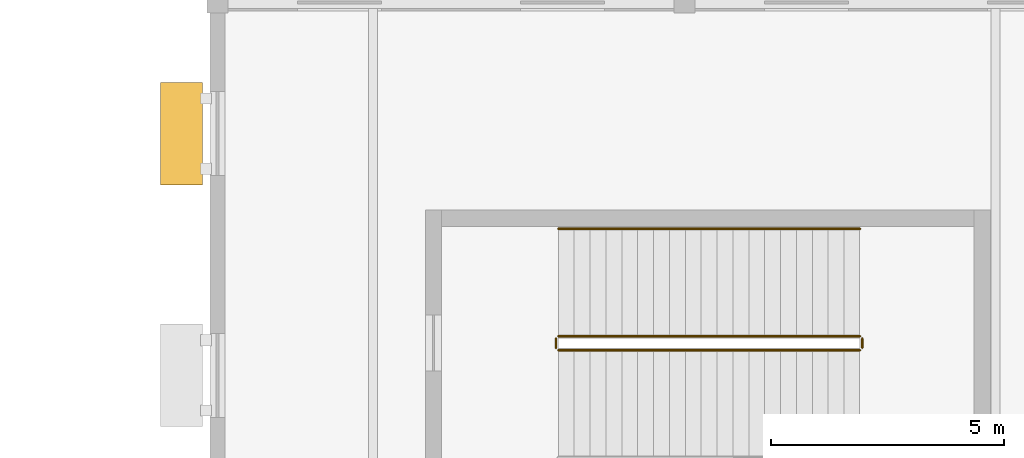
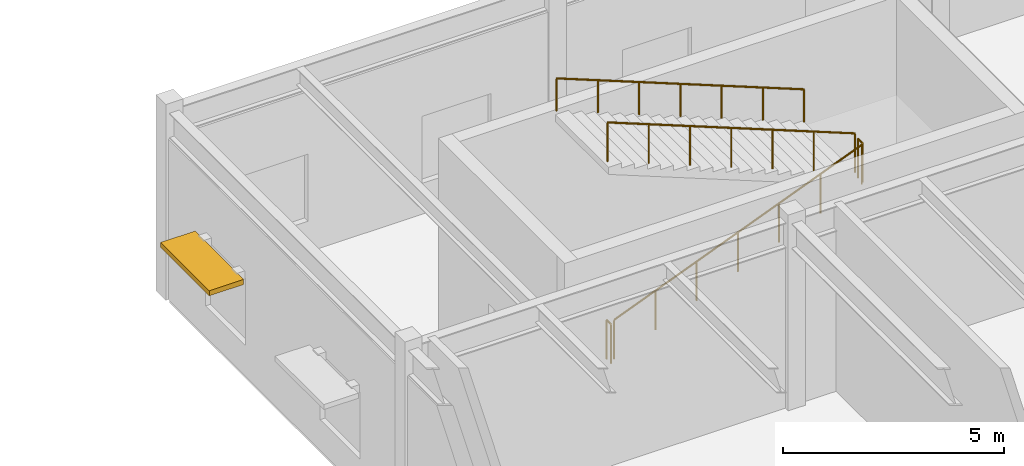
# One storey, part 66 of 72: 5 railings, 1 shading device.
"""IFC4 building model written with IfcOpenShell, lengths in metres."""

from ifc_helpers import new_model, si_unit, direction, frame, origin, origin_2d, place, context, subcontext, project, spatial, rectangle, circle, extrude, material, type_object, element, save


model = new_model("IFC4")

# Units and contexts
model_context = context("Model", 3, precision=1e-05, world=origin(), true_north=direction((0.0, 1.0)))
body_context = subcontext(model_context, "Body", "Model", "MODEL_VIEW")
ifc_project = project(units=[si_unit("LENGTHUNIT", "METRE"), si_unit("AREAUNIT", "SQUARE_METRE"), si_unit("VOLUMEUNIT", "CUBIC_METRE"), si_unit("PLANEANGLEUNIT", "RADIAN"), si_unit("MASSUNIT", "GRAM", prefix="KILO")], contexts=[model_context])

# Site, building, storey
site_placement = place(None, origin())
site = spatial("IfcSite", under=ifc_project, at=site_placement, CompositionType="ELEMENT")
building_placement = place(site_placement, origin())
building = spatial("IfcBuilding", under=site, at=building_placement, Name="Veldera Park Congress Hotel", CompositionType="ELEMENT")
storey_placement = place(building_placement, frame((0.0, 0.0, 5.39990234375)))
storey = spatial("IfcBuildingStorey", under=building, at=storey_placement, Name="L01", CompositionType="ELEMENT", Elevation=5.39990234375)

# Railings
ifc_material_1 = material(Name="Steel ASTM A992 Gr.50", Category="steel")
railing_type_1 = type_object("IfcRailingType", Name="GRD-ST110", PredefinedType="GUARDRAIL", material=ifc_material_1)
railing_1_placement = place(storey_placement, frame((-40.10009765625, 50.550048828125, 0.135009765625)))
element("IfcRailing", 1, at=railing_1_placement, inside=storey, type_object=railing_type_1, Name="L01 ST4 stair guard 1", PredefinedType="GUARDRAIL", context=body_context, shape_type="SweptSolid", body=[
    extrude(circle(Radius=0.02392578125, at=origin_2d()), frame((0.0, 0.0, 1.076171875), z_axis=(0.929411175501, 0.0, 0.369045887192), x_axis=(0.0, 1.0, 0.0)), (0.0, 0.0, 1.0), 6.950927734375),
    extrude(circle(Radius=0.02099609375, at=origin_2d()), origin(), (0.0, 0.0, 1.0), 1.052001953125),
    extrude(circle(Radius=0.02099609375, at=origin_2d()), frame((1.07666015625, 0.0, 0.427490234375)), (0.0, 0.0, 1.0), 1.052001953125),
    extrude(circle(Radius=0.02099609375, at=origin_2d()), frame((2.1533203125, 0.0, 0.85498046875)), (0.0, 0.0, 1.0), 1.052001953125),
    extrude(circle(Radius=0.02099609375, at=origin_2d()), frame((3.22998046875, 0.0, 1.28271484375)), (0.0, 0.0, 1.0), 1.052001953125),
    extrude(circle(Radius=0.02099609375, at=origin_2d()), frame((4.306884765625, 0.0, 1.710205078125)), (0.0, 0.0, 1.0), 1.052001953125),
    extrude(circle(Radius=0.02099609375, at=origin_2d()), frame((5.383544921875, 0.0, 2.1376953125)), (0.0, 0.0, 1.0), 1.052001953125),
    extrude(circle(Radius=0.02099609375, at=origin_2d()), frame((6.460205078125, 0.0, 2.565185546875)), (0.0, 0.0, 1.0), 1.052001953125),
])
railing_2_placement = place(storey_placement, frame((-33.590087890625, 50.60009765625, 2.7001953125)))
element("IfcRailing", 2, at=railing_2_placement, inside=storey, type_object=railing_type_1, Name="L01 ST4 stair guard 2", PredefinedType="GUARDRAIL", context=body_context, shape_type="SweptSolid", body=[
    extrude(circle(Radius=0.02392578125, at=origin_2d()), frame((0.0, 0.0, 1.076171875), z_axis=(0.0, 1.0, 0.0), x_axis=(-1.0, 0.0, 0.0)), (0.0, 0.0, 1.0), 0.199951171875),
    extrude(circle(Radius=0.02099609375, at=origin_2d()), origin(), (0.0, 0.0, 1.0), 1.052001953125),
    extrude(circle(Radius=0.02099609375, at=origin_2d()), frame((0.0, 0.199951171875, 0.0)), (0.0, 0.0, 1.0), 1.052001953125),
])
railing_3_placement = place(storey_placement, frame((-33.639892578125, 50.85009765625, 2.835205078125)))
element("IfcRailing", 3, at=railing_3_placement, inside=storey, type_object=railing_type_1, Name="L01 ST4 stair guard 3", PredefinedType="GUARDRAIL", context=body_context, shape_type="SweptSolid", body=[
    extrude(circle(Radius=0.02392578125, at=origin_2d()), frame((0.0, 0.0, 1.076171875), z_axis=(-0.929423222467, 0.0, 0.369015546474), x_axis=(0.0, -1.0, 0.0)), (0.0, 0.0, 1.0), 6.95068359375),
    extrude(circle(Radius=0.02099609375, at=origin_2d()), origin(), (0.0, 0.0, 1.0), 1.052001953125),
    extrude(circle(Radius=0.02099609375, at=origin_2d()), frame((-1.07666015625, 0.0, 0.427490234375)), (0.0, 0.0, 1.0), 1.052001953125),
    extrude(circle(Radius=0.02099609375, at=origin_2d()), frame((-2.1533203125, 0.0, 0.85498046875)), (0.0, 0.0, 1.0), 1.052001953125),
    extrude(circle(Radius=0.02099609375, at=origin_2d()), frame((-3.22998046875, 0.0, 1.282470703125)), (0.0, 0.0, 1.0), 1.052001953125),
    extrude(circle(Radius=0.02099609375, at=origin_2d()), frame((-4.306884765625, 0.0, 1.7099609375)), (0.0, 0.0, 1.0), 1.052001953125),
    extrude(circle(Radius=0.02099609375, at=origin_2d()), frame((-5.383544921875, 0.0, 2.137451171875)), (0.0, 0.0, 1.0), 1.052001953125),
    extrude(circle(Radius=0.02099609375, at=origin_2d()), frame((-6.460205078125, 0.0, 2.56494140625)), (0.0, 0.0, 1.0), 1.052001953125),
])
railing_4_placement = place(storey_placement, frame((-40.14990234375, 50.60009765625, 0.0)))
element("IfcRailing", 4, at=railing_4_placement, inside=storey, type_object=railing_type_1, Name="L01 ST4 stair guard 4", PredefinedType="GUARDRAIL", context=body_context, shape_type="SweptSolid", body=[
    extrude(circle(Radius=0.02392578125, at=origin_2d()), frame((0.0, 0.0, 1.076171875), z_axis=(0.0, 1.0, 0.0), x_axis=(-1.0, 0.0, 0.0)), (0.0, 0.0, 1.0), 0.199951171875),
    extrude(circle(Radius=0.02099609375, at=origin_2d()), origin(), (0.0, 0.0, 1.0), 1.052001953125),
    extrude(circle(Radius=0.02099609375, at=origin_2d()), frame((0.0, 0.199951171875, 0.0)), (0.0, 0.0, 1.0), 1.052001953125),
])
railing_type_2 = type_object("IfcRailingType", Name="HRL-920", PredefinedType="HANDRAIL", material=ifc_material_1)
railing_5_placement = place(storey_placement, frame((-33.639892578125, 53.14990234375, 2.835205078125)))
element("IfcRailing", 5, at=railing_5_placement, inside=storey, type_object=railing_type_2, Name="L01 ST4 stair handrail 2", PredefinedType="HANDRAIL", context=body_context, shape_type="SweptSolid", body=[
    extrude(circle(Radius=0.02392578125, at=origin_2d()), frame((0.0, 0.0, 0.89599609375), z_axis=(-0.929423222467, 0.0, 0.369015546474), x_axis=(0.0, -1.0, 0.0)), (0.0, 0.0, 1.0), 6.95068359375),
    extrude(circle(Radius=0.02099609375, at=origin_2d()), origin(), (0.0, 0.0, 1.0), 0.871826171875),
    extrude(circle(Radius=0.02099609375, at=origin_2d()), frame((-1.07666015625, 0.0, 0.427490234375)), (0.0, 0.0, 1.0), 0.871826171875),
    extrude(circle(Radius=0.02099609375, at=origin_2d()), frame((-2.1533203125, 0.0, 0.85498046875)), (0.0, 0.0, 1.0), 0.871826171875),
    extrude(circle(Radius=0.02099609375, at=origin_2d()), frame((-3.22998046875, 0.0, 1.282470703125)), (0.0, 0.0, 1.0), 0.871826171875),
    extrude(circle(Radius=0.02099609375, at=origin_2d()), frame((-4.306884765625, 0.0, 1.7099609375)), (0.0, 0.0, 1.0), 0.871826171875),
    extrude(circle(Radius=0.02099609375, at=origin_2d()), frame((-5.383544921875, 0.0, 2.137451171875)), (0.0, 0.0, 1.0), 0.871826171875),
    extrude(circle(Radius=0.02099609375, at=origin_2d()), frame((-6.460205078125, 0.0, 2.56494140625)), (0.0, 0.0, 1.0), 0.871826171875),
])

# Shading device
ifc_material_2 = material(Name="Glulam GL28h (NDS 24F-V4)", Category="wood")
shading_device_type = type_object("IfcShadingDeviceType", Name="SHD-SHF450", PredefinedType="AWNING", material=ifc_material_2)
shading_device_placement = place(storey_placement, frame((-48.169921875, 55.1884765625, 2.7099609375), z_axis=(0.0, 0.0, 1.0), x_axis=(0.0, -1.0, 0.0)))
element("IfcShadingDevice", 6, at=shading_device_placement, inside=storey, type_object=shading_device_type, Name="Glulam Solar Shade 44", PredefinedType="AWNING", context=body_context, shape_type="SweptSolid", body=[
    extrude(rectangle(XDim=2.199951171875, YDim=0.89990234375, at=origin_2d()), origin(), (0.0, 0.0, 1.0), 0.139892578125),
])

save(model, "model.ifc")
